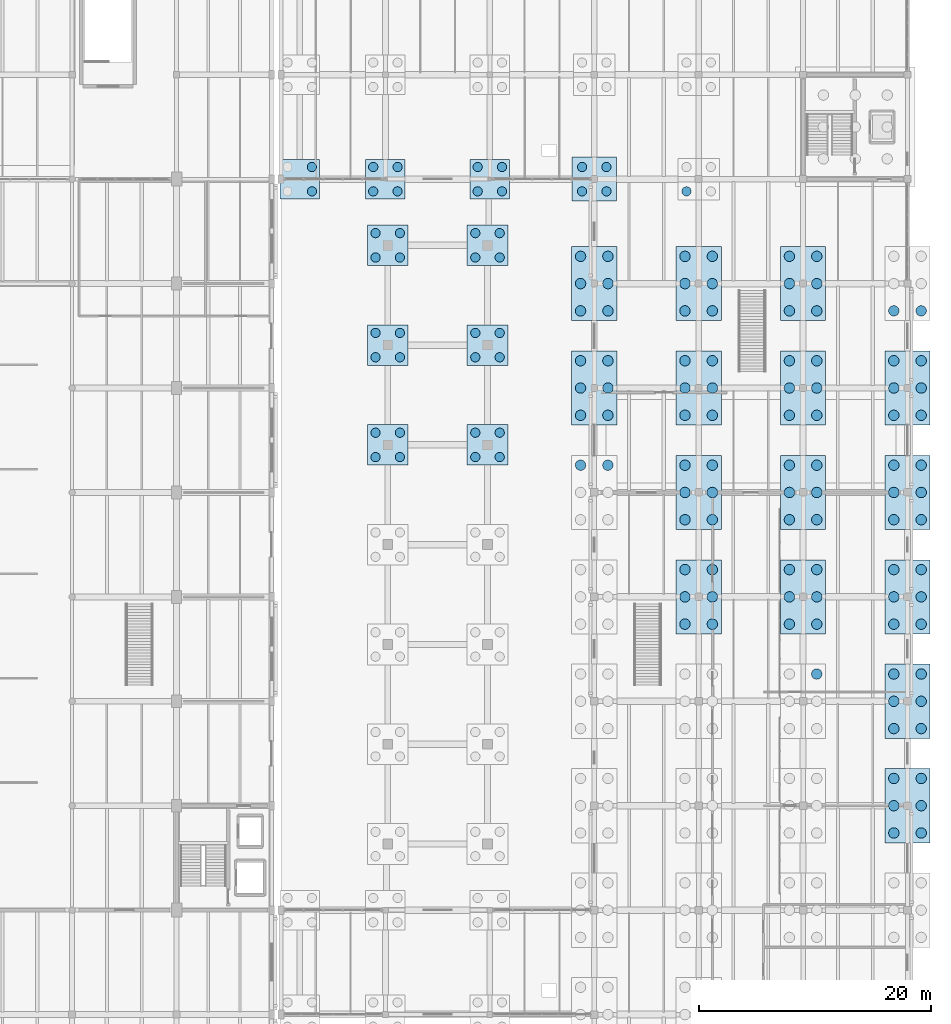
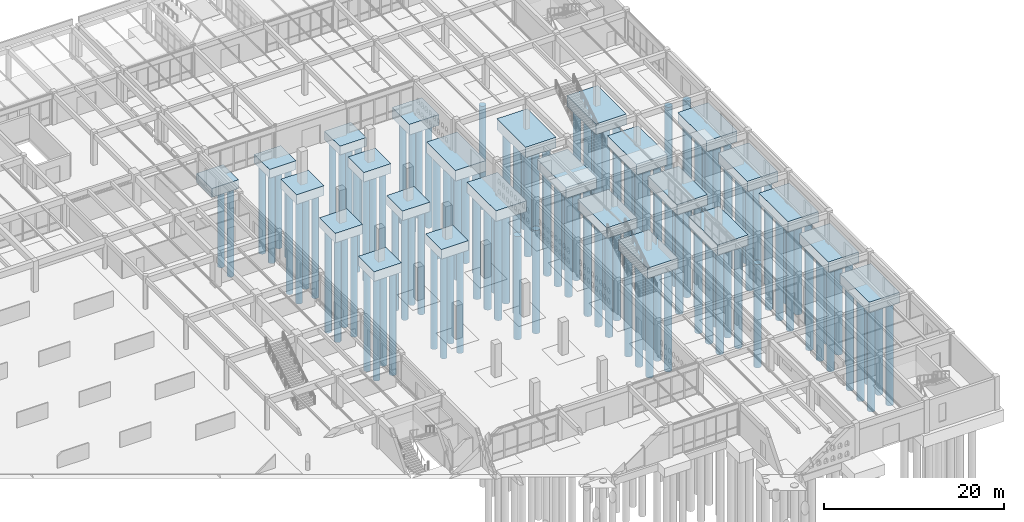
# One storey, part 5 of 186: 134 piles, 25 footings.
"""IFC4 building model written with IfcOpenShell, lengths in metres."""

from ifc_helpers import new_model, si_unit, direction, frame, origin, origin_2d, place, context, subcontext, project, spatial, polyline, circle, outline, extrude, material, layer, layer_set, material_profile, profile_set, type_object, element, save


model = new_model("IFC4")

# Units and contexts
model_context = context("Model", 3, precision=1e-05, world=origin(), true_north=direction((0.0, 1.0)))
body_context = subcontext(model_context, "Body", "Model", "MODEL_VIEW")
ifc_project = project(units=[si_unit("LENGTHUNIT", "METRE"), si_unit("AREAUNIT", "SQUARE_METRE"), si_unit("VOLUMEUNIT", "CUBIC_METRE"), si_unit("PLANEANGLEUNIT", "RADIAN"), si_unit("MASSUNIT", "GRAM", prefix="KILO")], contexts=[model_context])

# Site, building, storey
site_placement = place(None, origin())
site = spatial("IfcSite", under=ifc_project, at=site_placement, CompositionType="ELEMENT")
building_placement = place(site_placement, origin())
building = spatial("IfcBuilding", under=site, at=building_placement, Name="Ornek Quay Market", CompositionType="ELEMENT")
storey_placement = place(building_placement, origin())
storey = spatial("IfcBuildingStorey", under=building, at=storey_placement, Name="L00", CompositionType="ELEMENT", Elevation=0.0)

# Footings
ifc_material = material(Name="Concrete C35/45", Category="concrete")
ifc_layer_1 = layer(ifc_material, 1.199951171875, Name="Concrete C35/45", Category="concrete")
ifc_layer_set_1 = layer_set([ifc_layer_1], Name="Concrete C35/45")
footing_type_1 = type_object("IfcFootingType", Name="FT-PC4-2800x2800x1200", PredefinedType="PILE_CAP", material=ifc_layer_set_1)
footing_1_placement = place(storey_placement, frame((0.0, 0.0, -1.199951171875)))
element("IfcFooting", 1, at=footing_1_placement, inside=storey, type_object=footing_type_1, Name="Pile cap FC-176", PredefinedType="PILE_CAP", context=body_context, shape_type="SweptSolid", body=[
    extrude(outline(polyline([(125.919921875, 90.300048828125), (129.320068359375, 90.300048828125), (129.320068359375, 93.699951171875), (125.919921875, 93.699951171875), (125.919921875, 90.300048828125)])), origin(), (0.0, 0.0, 1.0), 1.199951171875),
])
footing_2_placement = place(storey_placement, frame((0.0, 0.0, -1.199951171875)))
element("IfcFooting", 2, at=footing_2_placement, inside=storey, type_object=footing_type_1, Name="Pile cap FC-182", PredefinedType="PILE_CAP", context=body_context, shape_type="SweptSolid", body=[
    extrude(outline(polyline([(133.300048828125, 90.300048828125), (136.699951171875, 90.300048828125), (136.699951171875, 93.699951171875), (133.300048828125, 93.699951171875), (133.300048828125, 90.300048828125)])), origin(), (0.0, 0.0, 1.0), 1.199951171875),
])
footing_3_placement = place(storey_placement, frame((0.0, 0.0, -1.199951171875)))
element("IfcFooting", 3, at=footing_3_placement, inside=storey, type_object=footing_type_1, Name="Pile cap FC-188", PredefinedType="PILE_CAP", context=body_context, shape_type="SweptSolid", body=[
    extrude(outline(polyline([(142.300048828125, 90.300048828125), (145.699951171875, 90.300048828125), (145.699951171875, 93.699951171875), (142.300048828125, 93.699951171875), (142.300048828125, 90.300048828125)])), origin(), (0.0, 0.0, 1.0), 1.199951171875),
])
ifc_layer_2 = layer(ifc_material, 1.300048828125, Name="Concrete C35/45", Category="concrete")
ifc_layer_set_2 = layer_set([ifc_layer_2], Name="Concrete C35/45")
footing_type_2 = type_object("IfcFootingType", Name="FT-PC4-3000x3000x1300", PredefinedType="PILE_CAP", material=ifc_layer_set_2)
footing_4_placement = place(storey_placement, frame((0.0, 0.0, -1.300048828125)))
element("IfcFooting", 4, at=footing_4_placement, inside=storey, type_object=footing_type_2, Name="Pile cap FC-254", PredefinedType="PILE_CAP", context=body_context, shape_type="SweptSolid", body=[
    extrude(outline(polyline([(133.449951171875, 67.35009765625), (136.949951171875, 67.35009765625), (136.949951171875, 70.85009765625), (133.449951171875, 70.85009765625), (133.449951171875, 67.35009765625)])), origin(), (0.0, 0.0, 1.0), 1.300048828125),
])
footing_5_placement = place(storey_placement, frame((0.0, 0.0, -1.300048828125)))
element("IfcFooting", 5, at=footing_5_placement, inside=storey, type_object=footing_type_2, Name="Pile cap FC-255", PredefinedType="PILE_CAP", context=body_context, shape_type="SweptSolid", body=[
    extrude(outline(polyline([(133.449951171875, 75.949951171875), (136.949951171875, 75.949951171875), (136.949951171875, 79.449951171875), (133.449951171875, 79.449951171875), (133.449951171875, 75.949951171875)])), origin(), (0.0, 0.0, 1.0), 1.300048828125),
])
footing_6_placement = place(storey_placement, frame((0.0, 0.0, -1.300048828125)))
element("IfcFooting", 6, at=footing_6_placement, inside=storey, type_object=footing_type_2, Name="Pile cap FC-256", PredefinedType="PILE_CAP", context=body_context, shape_type="SweptSolid", body=[
    extrude(outline(polyline([(133.449951171875, 84.550048828125), (136.949951171875, 84.550048828125), (136.949951171875, 88.050048828125), (133.449951171875, 88.050048828125), (133.449951171875, 84.550048828125)])), origin(), (0.0, 0.0, 1.0), 1.300048828125),
])
footing_7_placement = place(storey_placement, frame((0.0, 0.0, -1.300048828125)))
element("IfcFooting", 7, at=footing_7_placement, inside=storey, type_object=footing_type_2, Name="Pile cap FC-261", PredefinedType="PILE_CAP", context=body_context, shape_type="SweptSolid", body=[
    extrude(outline(polyline([(142.050048828125, 67.35009765625), (145.550048828125, 67.35009765625), (145.550048828125, 70.85009765625), (142.050048828125, 70.85009765625), (142.050048828125, 67.35009765625)])), origin(), (0.0, 0.0, 1.0), 1.300048828125),
])
footing_8_placement = place(storey_placement, frame((0.0, 0.0, -1.300048828125)))
element("IfcFooting", 8, at=footing_8_placement, inside=storey, type_object=footing_type_2, Name="Pile cap FC-262", PredefinedType="PILE_CAP", context=body_context, shape_type="SweptSolid", body=[
    extrude(outline(polyline([(142.050048828125, 75.949951171875), (145.550048828125, 75.949951171875), (145.550048828125, 79.449951171875), (142.050048828125, 79.449951171875), (142.050048828125, 75.949951171875)])), origin(), (0.0, 0.0, 1.0), 1.300048828125),
])
footing_9_placement = place(storey_placement, frame((0.0, 0.0, -1.300048828125)))
element("IfcFooting", 9, at=footing_9_placement, inside=storey, type_object=footing_type_2, Name="Pile cap FC-263", PredefinedType="PILE_CAP", context=body_context, shape_type="SweptSolid", body=[
    extrude(outline(polyline([(142.050048828125, 84.550048828125), (145.550048828125, 84.550048828125), (145.550048828125, 88.050048828125), (142.050048828125, 88.050048828125), (142.050048828125, 84.550048828125)])), origin(), (0.0, 0.0, 1.0), 1.300048828125),
])
ifc_layer_3 = layer(ifc_material, 1.449951171875, Name="Concrete C35/45", Category="concrete")
ifc_layer_set_3 = layer_set([ifc_layer_3], Name="Concrete C35/45")
footing_type_3 = type_object("IfcFootingType", Name="FT-PC6-3200x4600x1450", PredefinedType="PILE_CAP", material=ifc_layer_set_3)
footing_10_placement = place(storey_placement, frame((0.0, 0.0, -1.449951171875)))
element("IfcFooting", 10, at=footing_10_placement, inside=storey, type_object=footing_type_3, Name="Pile cap FC-199", PredefinedType="PILE_CAP", context=body_context, shape_type="SweptSolid", body=[
    extrude(outline(polyline([(151.050048828125, 70.800048828125), (154.949951171875, 70.800048828125), (154.949951171875, 77.199951171875), (151.050048828125, 77.199951171875), (151.050048828125, 70.800048828125)])), origin(), (0.0, 0.0, 1.0), 1.449951171875),
])
footing_11_placement = place(storey_placement, frame((0.0, 0.0, -1.449951171875)))
element("IfcFooting", 11, at=footing_11_placement, inside=storey, type_object=footing_type_3, Name="Pile cap FC-200", PredefinedType="PILE_CAP", context=body_context, shape_type="SweptSolid", body=[
    extrude(outline(polyline([(151.050048828125, 79.800048828125), (154.949951171875, 79.800048828125), (154.949951171875, 86.199951171875), (151.050048828125, 86.199951171875), (151.050048828125, 79.800048828125)])), origin(), (0.0, 0.0, 1.0), 1.449951171875),
])
footing_12_placement = place(storey_placement, frame((0.0, 0.0, -1.449951171875)))
element("IfcFooting", 12, at=footing_12_placement, inside=storey, type_object=footing_type_3, Name="Pile cap FC-210", PredefinedType="PILE_CAP", context=body_context, shape_type="SweptSolid", body=[
    extrude(outline(polyline([(160.050048828125, 52.800048828125), (163.949951171875, 52.800048828125), (163.949951171875, 59.199951171875), (160.050048828125, 59.199951171875), (160.050048828125, 52.800048828125)])), origin(), (0.0, 0.0, 1.0), 1.449951171875),
])
footing_13_placement = place(storey_placement, frame((0.0, 0.0, -1.449951171875)))
element("IfcFooting", 13, at=footing_13_placement, inside=storey, type_object=footing_type_3, Name="Pile cap FC-211", PredefinedType="PILE_CAP", context=body_context, shape_type="SweptSolid", body=[
    extrude(outline(polyline([(160.050048828125, 61.800048828125), (163.949951171875, 61.800048828125), (163.949951171875, 68.199951171875), (160.050048828125, 68.199951171875), (160.050048828125, 61.800048828125)])), origin(), (0.0, 0.0, 1.0), 1.449951171875),
])
footing_14_placement = place(storey_placement, frame((0.0, 0.0, -1.449951171875)))
element("IfcFooting", 14, at=footing_14_placement, inside=storey, type_object=footing_type_3, Name="Pile cap FC-212", PredefinedType="PILE_CAP", context=body_context, shape_type="SweptSolid", body=[
    extrude(outline(polyline([(160.050048828125, 70.800048828125), (163.949951171875, 70.800048828125), (163.949951171875, 77.199951171875), (160.050048828125, 77.199951171875), (160.050048828125, 70.800048828125)])), origin(), (0.0, 0.0, 1.0), 1.449951171875),
])
footing_15_placement = place(storey_placement, frame((0.0, 0.0, -1.449951171875)))
element("IfcFooting", 15, at=footing_15_placement, inside=storey, type_object=footing_type_3, Name="Pile cap FC-213", PredefinedType="PILE_CAP", context=body_context, shape_type="SweptSolid", body=[
    extrude(outline(polyline([(160.050048828125, 79.800048828125), (163.949951171875, 79.800048828125), (163.949951171875, 86.199951171875), (160.050048828125, 86.199951171875), (160.050048828125, 79.800048828125)])), origin(), (0.0, 0.0, 1.0), 1.449951171875),
])
footing_16_placement = place(storey_placement, frame((0.0, 0.0, -1.449951171875)))
element("IfcFooting", 16, at=footing_16_placement, inside=storey, type_object=footing_type_3, Name="Pile cap FC-221", PredefinedType="PILE_CAP", context=body_context, shape_type="SweptSolid", body=[
    extrude(outline(polyline([(169.050048828125, 52.800048828125), (172.949951171875, 52.800048828125), (172.949951171875, 59.199951171875), (169.050048828125, 59.199951171875), (169.050048828125, 52.800048828125)])), origin(), (0.0, 0.0, 1.0), 1.449951171875),
])
footing_17_placement = place(storey_placement, frame((0.0, 0.0, -1.449951171875)))
element("IfcFooting", 17, at=footing_17_placement, inside=storey, type_object=footing_type_3, Name="Pile cap FC-222", PredefinedType="PILE_CAP", context=body_context, shape_type="SweptSolid", body=[
    extrude(outline(polyline([(169.050048828125, 61.800048828125), (172.949951171875, 61.800048828125), (172.949951171875, 68.199951171875), (169.050048828125, 68.199951171875), (169.050048828125, 61.800048828125)])), origin(), (0.0, 0.0, 1.0), 1.449951171875),
])
footing_18_placement = place(storey_placement, frame((0.0, 0.0, -1.449951171875)))
element("IfcFooting", 18, at=footing_18_placement, inside=storey, type_object=footing_type_3, Name="Pile cap FC-223", PredefinedType="PILE_CAP", context=body_context, shape_type="SweptSolid", body=[
    extrude(outline(polyline([(169.050048828125, 70.800048828125), (172.949951171875, 70.800048828125), (172.949951171875, 77.199951171875), (169.050048828125, 77.199951171875), (169.050048828125, 70.800048828125)])), origin(), (0.0, 0.0, 1.0), 1.449951171875),
])
footing_19_placement = place(storey_placement, frame((0.0, 0.0, -1.449951171875)))
element("IfcFooting", 19, at=footing_19_placement, inside=storey, type_object=footing_type_3, Name="Pile cap FC-224", PredefinedType="PILE_CAP", context=body_context, shape_type="SweptSolid", body=[
    extrude(outline(polyline([(169.050048828125, 79.800048828125), (172.949951171875, 79.800048828125), (172.949951171875, 86.199951171875), (169.050048828125, 86.199951171875), (169.050048828125, 79.800048828125)])), origin(), (0.0, 0.0, 1.0), 1.449951171875),
])
footing_20_placement = place(storey_placement, frame((0.0, 0.0, -1.449951171875)))
element("IfcFooting", 20, at=footing_20_placement, inside=storey, type_object=footing_type_3, Name="Pile cap FC-228", PredefinedType="PILE_CAP", context=body_context, shape_type="SweptSolid", body=[
    extrude(outline(polyline([(178.050048828125, 34.800048828125), (181.949951171875, 34.800048828125), (181.949951171875, 41.199951171875), (178.050048828125, 41.199951171875), (178.050048828125, 34.800048828125)])), origin(), (0.0, 0.0, 1.0), 1.449951171875),
])
footing_21_placement = place(storey_placement, frame((0.0, 0.0, -1.449951171875)))
element("IfcFooting", 21, at=footing_21_placement, inside=storey, type_object=footing_type_3, Name="Pile cap FC-229", PredefinedType="PILE_CAP", context=body_context, shape_type="SweptSolid", body=[
    extrude(outline(polyline([(178.050048828125, 43.800048828125), (181.949951171875, 43.800048828125), (181.949951171875, 50.199951171875), (178.050048828125, 50.199951171875), (178.050048828125, 43.800048828125)])), origin(), (0.0, 0.0, 1.0), 1.449951171875),
])
footing_22_placement = place(storey_placement, frame((0.0, 0.0, -1.449951171875)))
element("IfcFooting", 22, at=footing_22_placement, inside=storey, type_object=footing_type_3, Name="Pile cap FC-230", PredefinedType="PILE_CAP", context=body_context, shape_type="SweptSolid", body=[
    extrude(outline(polyline([(178.050048828125, 52.800048828125), (181.949951171875, 52.800048828125), (181.949951171875, 59.199951171875), (178.050048828125, 59.199951171875), (178.050048828125, 52.800048828125)])), origin(), (0.0, 0.0, 1.0), 1.449951171875),
])
footing_23_placement = place(storey_placement, frame((0.0, 0.0, -1.449951171875)))
element("IfcFooting", 23, at=footing_23_placement, inside=storey, type_object=footing_type_3, Name="Pile cap FC-231", PredefinedType="PILE_CAP", context=body_context, shape_type="SweptSolid", body=[
    extrude(outline(polyline([(178.050048828125, 61.800048828125), (181.949951171875, 61.800048828125), (181.949951171875, 68.199951171875), (178.050048828125, 68.199951171875), (178.050048828125, 61.800048828125)])), origin(), (0.0, 0.0, 1.0), 1.449951171875),
])
footing_24_placement = place(storey_placement, frame((0.0, 0.0, -1.449951171875)))
element("IfcFooting", 24, at=footing_24_placement, inside=storey, type_object=footing_type_3, Name="Pile cap FC-232", PredefinedType="PILE_CAP", context=body_context, shape_type="SweptSolid", body=[
    extrude(outline(polyline([(178.050048828125, 70.800048828125), (181.949951171875, 70.800048828125), (181.949951171875, 77.199951171875), (178.050048828125, 77.199951171875), (178.050048828125, 70.800048828125)])), origin(), (0.0, 0.0, 1.0), 1.449951171875),
])
ifc_layer_4 = layer(ifc_material, 1.449951171875, Name="Concrete C35/45", Category="concrete")
ifc_layer_set_4 = layer_set([ifc_layer_4], Name="Concrete C35/45")
footing_type_4 = type_object("IfcFootingType", Name="FT-PC6-4600x3200x1450", PredefinedType="PILE_CAP", material=ifc_layer_set_4)
footing_25_placement = place(storey_placement, frame((0.0, 0.0, -1.449951171875)))
element("IfcFooting", 25, at=footing_25_placement, inside=storey, type_object=footing_type_4, Name="Pile cap FC-201", PredefinedType="PILE_CAP", context=body_context, shape_type="SweptSolid", body=[
    extrude(outline(polyline([(151.10009765625, 90.10009765625), (154.89990234375, 90.10009765625), (154.89990234375, 93.89990234375), (151.10009765625, 93.89990234375), (151.10009765625, 90.10009765625)])), origin(), (0.0, 0.0, 1.0), 1.449951171875),
])

# Piles
ifc_material_profile_1 = material_profile(ifc_material, circle(Radius=0.39990234375, at=origin_2d()), Name="PILE D800", Category="concrete")
ifc_profile_set_1 = profile_set([ifc_material_profile_1], Name="Concrete C35/45")
pile_type_1 = type_object("IfcPileType", Name="PL-BOR-D800-L12", PredefinedType="BORED", material=ifc_profile_set_1)
for number, where, z_axis, x_axis, name in (
    (26, (128.669921875, 90.949951171875, -1.10009765625), (0.0, 0.0, -1.0), (1.0, 0.0, 0.0), "Bored pile P-0772"),
    (27, (128.669921875, 93.050048828125, -1.10009765625), (0.0, 0.0, -1.0), (1.0, 0.0, 0.0), "Bored pile P-0774"),
    (28, (133.949951171875, 90.949951171875, -1.10009765625), (0.0, 0.0, -1.0), (1.0, 0.0, 0.0), "Bored pile P-0795"),
    (29, (136.050048828125, 90.949951171875, -1.10009765625), (0.0, 0.0, -1.0), (1.0, 0.0, 0.0), "Bored pile P-0796"),
    (30, (133.949951171875, 93.050048828125, -1.10009765625), (0.0, 0.0, -1.0), (1.0, 0.0, 0.0), "Bored pile P-0797"),
    (31, (136.050048828125, 93.050048828125, -1.10009765625), (0.0, 0.0, -1.0), (1.0, 0.0, 0.0), "Bored pile P-0798"),
    (32, (142.949951171875, 90.949951171875, -1.10009765625), (0.0, 0.0, -1.0), (1.0, 0.0, 0.0), "Bored pile P-0819"),
    (33, (145.050048828125, 90.949951171875, -1.10009765625), (0.0, 0.0, -1.0), (1.0, 0.0, 0.0), "Bored pile P-0820"),
    (34, (142.949951171875, 93.050048828125, -1.10009765625), (0.0, 0.0, -1.0), (1.0, 0.0, 0.0), "Bored pile P-0821"),
    (35, (145.050048828125, 93.050048828125, -1.10009765625), (0.0, 0.0, -1.0), (1.0, 0.0, 0.0), "Bored pile P-0822"),
):
    element("IfcPile", number, at=place(storey_placement, frame(where, z_axis=z_axis, x_axis=x_axis)), inside=storey, type_object=pile_type_1, Name=name, PredefinedType="BORED", context=body_context, shape_type="SweptSolid", body=[
        extrude(circle(Radius=0.39990234375, at=origin_2d()), origin(), (0.0, 0.0, 1.0), 12.0),
    ])
ifc_material_profile_2 = material_profile(ifc_material, circle(Radius=0.39990234375, at=origin_2d()), Name="PILE D800", Category="concrete")
ifc_profile_set_2 = profile_set([ifc_material_profile_2], Name="Concrete C35/45")
pile_type_2 = type_object("IfcPileType", Name="PL-BOR-D800-L14", PredefinedType="BORED", material=ifc_profile_set_2)
for number, where, z_axis, x_axis, name in (
    (36, (151.949951171875, 90.949951171875, -1.35009765625), (0.0, 0.0, -1.0), (1.0, 0.0, 0.0), "Bored pile P-0889"),
    (37, (154.050048828125, 90.949951171875, -1.35009765625), (0.0, 0.0, -1.0), (1.0, 0.0, 0.0), "Bored pile P-0890"),
    (38, (151.949951171875, 93.050048828125, -1.35009765625), (0.0, 0.0, -1.0), (1.0, 0.0, 0.0), "Bored pile P-0891"),
    (39, (154.050048828125, 93.050048828125, -1.35009765625), (0.0, 0.0, -1.0), (1.0, 0.0, 0.0), "Bored pile P-0892"),
    (40, (160.949951171875, 90.949951171875, -1.25), (0.0, 0.0, -1.0), (1.0, 0.0, 0.0), "Bored pile P-0959"),
    (41, (134.14990234375, 68.050048828125, -1.199951171875), (0.0, 0.0, -1.0), (1.0, 0.0, 0.0), "Bored pile P-1147"),
    (42, (136.25, 68.050048828125, -1.199951171875), (0.0, 0.0, -1.0), (1.0, 0.0, 0.0), "Bored pile P-1148"),
    (43, (134.14990234375, 70.14990234375, -1.199951171875), (0.0, 0.0, -1.0), (1.0, 0.0, 0.0), "Bored pile P-1149"),
    (44, (136.25, 70.14990234375, -1.199951171875), (0.0, 0.0, -1.0), (1.0, 0.0, 0.0), "Bored pile P-1150"),
    (45, (134.14990234375, 76.64990234375, -1.199951171875), (0.0, 0.0, -1.0), (1.0, 0.0, 0.0), "Bored pile P-1151"),
    (46, (136.25, 76.64990234375, -1.199951171875), (0.0, 0.0, -1.0), (1.0, 0.0, 0.0), "Bored pile P-1152"),
    (47, (134.14990234375, 78.75, -1.199951171875), (0.0, 0.0, -1.0), (1.0, 0.0, 0.0), "Bored pile P-1153"),
    (48, (136.25, 78.75, -1.199951171875), (0.0, 0.0, -1.0), (1.0, 0.0, 0.0), "Bored pile P-1154"),
    (49, (134.14990234375, 85.25, -1.199951171875), (0.0, 0.0, -1.0), (1.0, 0.0, 0.0), "Bored pile P-1155"),
    (50, (136.25, 85.25, -1.199951171875), (0.0, 0.0, -1.0), (1.0, 0.0, 0.0), "Bored pile P-1156"),
    (51, (134.14990234375, 87.35009765625, -1.199951171875), (0.0, 0.0, -1.0), (1.0, 0.0, 0.0), "Bored pile P-1157"),
    (52, (136.25, 87.35009765625, -1.199951171875), (0.0, 0.0, -1.0), (1.0, 0.0, 0.0), "Bored pile P-1158"),
    (53, (142.75, 68.050048828125, -1.199951171875), (0.0, 0.0, -1.0), (1.0, 0.0, 0.0), "Bored pile P-1175"),
    (54, (144.85009765625, 68.050048828125, -1.199951171875), (0.0, 0.0, -1.0), (1.0, 0.0, 0.0), "Bored pile P-1176"),
    (55, (142.75, 70.14990234375, -1.199951171875), (0.0, 0.0, -1.0), (1.0, 0.0, 0.0), "Bored pile P-1177"),
    (56, (144.85009765625, 70.14990234375, -1.199951171875), (0.0, 0.0, -1.0), (1.0, 0.0, 0.0), "Bored pile P-1178"),
    (57, (142.75, 76.64990234375, -1.199951171875), (0.0, 0.0, -1.0), (1.0, 0.0, 0.0), "Bored pile P-1179"),
    (58, (144.85009765625, 76.64990234375, -1.199951171875), (0.0, 0.0, -1.0), (1.0, 0.0, 0.0), "Bored pile P-1180"),
    (59, (142.75, 78.75, -1.199951171875), (0.0, 0.0, -1.0), (1.0, 0.0, 0.0), "Bored pile P-1181"),
    (60, (144.85009765625, 78.75, -1.199951171875), (0.0, 0.0, -1.0), (1.0, 0.0, 0.0), "Bored pile P-1182"),
    (61, (142.75, 85.25, -1.199951171875), (0.0, 0.0, -1.0), (1.0, 0.0, 0.0), "Bored pile P-1183"),
    (62, (144.85009765625, 85.25, -1.199951171875), (0.0, 0.0, -1.0), (1.0, 0.0, 0.0), "Bored pile P-1184"),
    (63, (142.75, 87.35009765625, -1.199951171875), (0.0, 0.0, -1.0), (1.0, 0.0, 0.0), "Bored pile P-1185"),
    (64, (144.85009765625, 87.35009765625, -1.199951171875), (0.0, 0.0, -1.0), (1.0, 0.0, 0.0), "Bored pile P-1186"),
):
    element("IfcPile", number, at=place(storey_placement, frame(where, z_axis=z_axis, x_axis=x_axis)), inside=storey, type_object=pile_type_2, Name=name, PredefinedType="BORED", context=body_context, shape_type="SweptSolid", body=[
        extrude(circle(Radius=0.39990234375, at=origin_2d()), origin(), (0.0, 0.0, 1.0), 14.0),
    ])
ifc_material_profile_3 = material_profile(ifc_material, circle(Radius=0.449951171875, at=origin_2d()), Name="PILE D900", Category="concrete")
ifc_profile_set_3 = profile_set([ifc_material_profile_3], Name="Concrete C35/45")
pile_type_3 = type_object("IfcPileType", Name="PL-BOR-D900-L14", PredefinedType="BORED", material=ifc_profile_set_3)
for number, where, z_axis, x_axis, name in (
    (65, (151.820068359375, 67.35009765625, -1.35009765625), (0.0, 0.0, -1.0), (1.0, 0.0, 0.0), "Bored pile P-0875"),
    (66, (154.179931640625, 67.35009765625, -1.35009765625), (0.0, 0.0, -1.0), (1.0, 0.0, 0.0), "Bored pile P-0876"),
    (67, (151.820068359375, 71.64990234375, -1.35009765625), (0.0, 0.0, -1.0), (1.0, 0.0, 0.0), "Bored pile P-0877"),
    (68, (154.179931640625, 71.64990234375, -1.35009765625), (0.0, 0.0, -1.0), (1.0, 0.0, 0.0), "Bored pile P-0878"),
    (69, (151.820068359375, 74.0, -1.35009765625), (0.0, 0.0, -1.0), (1.0, 0.0, 0.0), "Bored pile P-0879"),
    (70, (154.179931640625, 74.0, -1.35009765625), (0.0, 0.0, -1.0), (1.0, 0.0, 0.0), "Bored pile P-0880"),
    (71, (151.820068359375, 76.35009765625, -1.35009765625), (0.0, 0.0, -1.0), (1.0, 0.0, 0.0), "Bored pile P-0881"),
    (72, (154.179931640625, 76.35009765625, -1.35009765625), (0.0, 0.0, -1.0), (1.0, 0.0, 0.0), "Bored pile P-0882"),
    (73, (151.820068359375, 80.64990234375, -1.35009765625), (0.0, 0.0, -1.0), (1.0, 0.0, 0.0), "Bored pile P-0883"),
    (74, (154.179931640625, 80.64990234375, -1.35009765625), (0.0, 0.0, -1.0), (1.0, 0.0, 0.0), "Bored pile P-0884"),
    (75, (151.820068359375, 83.0, -1.35009765625), (0.0, 0.0, -1.0), (1.0, 0.0, 0.0), "Bored pile P-0885"),
    (76, (154.179931640625, 83.0, -1.35009765625), (0.0, 0.0, -1.0), (1.0, 0.0, 0.0), "Bored pile P-0886"),
    (77, (151.820068359375, 85.35009765625, -1.35009765625), (0.0, 0.0, -1.0), (1.0, 0.0, 0.0), "Bored pile P-0887"),
    (78, (154.179931640625, 85.35009765625, -1.35009765625), (0.0, 0.0, -1.0), (1.0, 0.0, 0.0), "Bored pile P-0888"),
    (79, (160.820068359375, 53.64990234375, -1.35009765625), (0.0, 0.0, -1.0), (1.0, 0.0, 0.0), "Bored pile P-0935"),
    (80, (163.179931640625, 53.64990234375, -1.35009765625), (0.0, 0.0, -1.0), (1.0, 0.0, 0.0), "Bored pile P-0936"),
    (81, (160.820068359375, 56.0, -1.35009765625), (0.0, 0.0, -1.0), (1.0, 0.0, 0.0), "Bored pile P-0937"),
    (82, (163.179931640625, 56.0, -1.35009765625), (0.0, 0.0, -1.0), (1.0, 0.0, 0.0), "Bored pile P-0938"),
    (83, (160.820068359375, 58.35009765625, -1.35009765625), (0.0, 0.0, -1.0), (1.0, 0.0, 0.0), "Bored pile P-0939"),
    (84, (163.179931640625, 58.35009765625, -1.35009765625), (0.0, 0.0, -1.0), (1.0, 0.0, 0.0), "Bored pile P-0940"),
    (85, (160.820068359375, 62.64990234375, -1.35009765625), (0.0, 0.0, -1.0), (1.0, 0.0, 0.0), "Bored pile P-0941"),
    (86, (163.179931640625, 62.64990234375, -1.35009765625), (0.0, 0.0, -1.0), (1.0, 0.0, 0.0), "Bored pile P-0942"),
    (87, (160.820068359375, 65.0, -1.35009765625), (0.0, 0.0, -1.0), (1.0, 0.0, 0.0), "Bored pile P-0943"),
    (88, (163.179931640625, 65.0, -1.35009765625), (0.0, 0.0, -1.0), (1.0, 0.0, 0.0), "Bored pile P-0944"),
    (89, (160.820068359375, 67.35009765625, -1.35009765625), (0.0, 0.0, -1.0), (1.0, 0.0, 0.0), "Bored pile P-0945"),
    (90, (163.179931640625, 67.35009765625, -1.35009765625), (0.0, 0.0, -1.0), (1.0, 0.0, 0.0), "Bored pile P-0946"),
    (91, (160.820068359375, 71.64990234375, -1.35009765625), (0.0, 0.0, -1.0), (1.0, 0.0, 0.0), "Bored pile P-0947"),
    (92, (163.179931640625, 71.64990234375, -1.35009765625), (0.0, 0.0, -1.0), (1.0, 0.0, 0.0), "Bored pile P-0948"),
    (93, (160.820068359375, 74.0, -1.35009765625), (0.0, 0.0, -1.0), (1.0, 0.0, 0.0), "Bored pile P-0949"),
    (94, (163.179931640625, 74.0, -1.35009765625), (0.0, 0.0, -1.0), (1.0, 0.0, 0.0), "Bored pile P-0950"),
    (95, (160.820068359375, 76.35009765625, -1.35009765625), (0.0, 0.0, -1.0), (1.0, 0.0, 0.0), "Bored pile P-0951"),
    (96, (163.179931640625, 76.35009765625, -1.35009765625), (0.0, 0.0, -1.0), (1.0, 0.0, 0.0), "Bored pile P-0952"),
    (97, (160.820068359375, 80.64990234375, -1.35009765625), (0.0, 0.0, -1.0), (1.0, 0.0, 0.0), "Bored pile P-0953"),
    (98, (163.179931640625, 80.64990234375, -1.35009765625), (0.0, 0.0, -1.0), (1.0, 0.0, 0.0), "Bored pile P-0954"),
    (99, (160.820068359375, 83.0, -1.35009765625), (0.0, 0.0, -1.0), (1.0, 0.0, 0.0), "Bored pile P-0955"),
    (100, (163.179931640625, 83.0, -1.35009765625), (0.0, 0.0, -1.0), (1.0, 0.0, 0.0), "Bored pile P-0956"),
    (101, (160.820068359375, 85.35009765625, -1.35009765625), (0.0, 0.0, -1.0), (1.0, 0.0, 0.0), "Bored pile P-0957"),
    (102, (163.179931640625, 85.35009765625, -1.35009765625), (0.0, 0.0, -1.0), (1.0, 0.0, 0.0), "Bored pile P-0958"),
    (103, (172.179931640625, 49.35009765625, -1.35009765625), (0.0, 0.0, -1.0), (1.0, 0.0, 0.0), "Bored pile P-0992"),
    (104, (169.820068359375, 53.64990234375, -1.35009765625), (0.0, 0.0, -1.0), (1.0, 0.0, 0.0), "Bored pile P-0993"),
    (105, (172.179931640625, 53.64990234375, -1.35009765625), (0.0, 0.0, -1.0), (1.0, 0.0, 0.0), "Bored pile P-0994"),
    (106, (169.820068359375, 56.0, -1.35009765625), (0.0, 0.0, -1.0), (1.0, 0.0, 0.0), "Bored pile P-0995"),
    (107, (172.179931640625, 56.0, -1.35009765625), (0.0, 0.0, -1.0), (1.0, 0.0, 0.0), "Bored pile P-0996"),
    (108, (169.820068359375, 58.35009765625, -1.35009765625), (0.0, 0.0, -1.0), (1.0, 0.0, 0.0), "Bored pile P-0997"),
    (109, (172.179931640625, 58.35009765625, -1.35009765625), (0.0, 0.0, -1.0), (1.0, 0.0, 0.0), "Bored pile P-0998"),
    (110, (169.820068359375, 62.64990234375, -1.35009765625), (0.0, 0.0, -1.0), (1.0, 0.0, 0.0), "Bored pile P-0999"),
    (111, (172.179931640625, 62.64990234375, -1.35009765625), (0.0, 0.0, -1.0), (1.0, 0.0, 0.0), "Bored pile P-1000"),
    (112, (169.820068359375, 65.0, -1.35009765625), (0.0, 0.0, -1.0), (1.0, 0.0, 0.0), "Bored pile P-1001"),
    (113, (172.179931640625, 65.0, -1.35009765625), (0.0, 0.0, -1.0), (1.0, 0.0, 0.0), "Bored pile P-1002"),
    (114, (169.820068359375, 67.35009765625, -1.35009765625), (0.0, 0.0, -1.0), (1.0, 0.0, 0.0), "Bored pile P-1003"),
    (115, (172.179931640625, 67.35009765625, -1.35009765625), (0.0, 0.0, -1.0), (1.0, 0.0, 0.0), "Bored pile P-1004"),
    (116, (169.820068359375, 71.64990234375, -1.35009765625), (0.0, 0.0, -1.0), (1.0, 0.0, 0.0), "Bored pile P-1005"),
    (117, (172.179931640625, 71.64990234375, -1.35009765625), (0.0, 0.0, -1.0), (1.0, 0.0, 0.0), "Bored pile P-1006"),
    (118, (169.820068359375, 74.0, -1.35009765625), (0.0, 0.0, -1.0), (1.0, 0.0, 0.0), "Bored pile P-1007"),
    (119, (172.179931640625, 74.0, -1.35009765625), (0.0, 0.0, -1.0), (1.0, 0.0, 0.0), "Bored pile P-1008"),
    (120, (169.820068359375, 76.35009765625, -1.35009765625), (0.0, 0.0, -1.0), (1.0, 0.0, 0.0), "Bored pile P-1009"),
    (121, (172.179931640625, 76.35009765625, -1.35009765625), (0.0, 0.0, -1.0), (1.0, 0.0, 0.0), "Bored pile P-1010"),
    (122, (169.820068359375, 80.64990234375, -1.35009765625), (0.0, 0.0, -1.0), (1.0, 0.0, 0.0), "Bored pile P-1011"),
    (123, (172.179931640625, 80.64990234375, -1.35009765625), (0.0, 0.0, -1.0), (1.0, 0.0, 0.0), "Bored pile P-1012"),
    (124, (169.820068359375, 83.0, -1.35009765625), (0.0, 0.0, -1.0), (1.0, 0.0, 0.0), "Bored pile P-1013"),
    (125, (172.179931640625, 83.0, -1.35009765625), (0.0, 0.0, -1.0), (1.0, 0.0, 0.0), "Bored pile P-1014"),
    (126, (169.820068359375, 85.35009765625, -1.35009765625), (0.0, 0.0, -1.0), (1.0, 0.0, 0.0), "Bored pile P-1015"),
    (127, (172.179931640625, 85.35009765625, -1.35009765625), (0.0, 0.0, -1.0), (1.0, 0.0, 0.0), "Bored pile P-1016"),
    (128, (178.820068359375, 35.64990234375, -1.35009765625), (0.0, 0.0, -1.0), (1.0, 0.0, 0.0), "Bored pile P-1031"),
    (129, (181.179931640625, 35.64990234375, -1.35009765625), (0.0, 0.0, -1.0), (1.0, 0.0, 0.0), "Bored pile P-1032"),
    (130, (178.820068359375, 38.0, -1.35009765625), (0.0, 0.0, -1.0), (1.0, 0.0, 0.0), "Bored pile P-1033"),
    (131, (181.179931640625, 38.0, -1.35009765625), (0.0, 0.0, -1.0), (1.0, 0.0, 0.0), "Bored pile P-1034"),
    (132, (178.820068359375, 40.35009765625, -1.35009765625), (0.0, 0.0, -1.0), (1.0, 0.0, 0.0), "Bored pile P-1035"),
    (133, (181.179931640625, 40.35009765625, -1.35009765625), (0.0, 0.0, -1.0), (1.0, 0.0, 0.0), "Bored pile P-1036"),
    (134, (178.820068359375, 44.64990234375, -1.35009765625), (0.0, 0.0, -1.0), (1.0, 0.0, 0.0), "Bored pile P-1037"),
    (135, (181.179931640625, 44.64990234375, -1.35009765625), (0.0, 0.0, -1.0), (1.0, 0.0, 0.0), "Bored pile P-1038"),
    (136, (178.820068359375, 47.0, -1.35009765625), (0.0, 0.0, -1.0), (1.0, 0.0, 0.0), "Bored pile P-1039"),
    (137, (181.179931640625, 47.0, -1.35009765625), (0.0, 0.0, -1.0), (1.0, 0.0, 0.0), "Bored pile P-1040"),
    (138, (178.820068359375, 49.35009765625, -1.35009765625), (0.0, 0.0, -1.0), (1.0, 0.0, 0.0), "Bored pile P-1041"),
    (139, (181.179931640625, 49.35009765625, -1.35009765625), (0.0, 0.0, -1.0), (1.0, 0.0, 0.0), "Bored pile P-1042"),
    (140, (178.820068359375, 53.64990234375, -1.35009765625), (0.0, 0.0, -1.0), (1.0, 0.0, 0.0), "Bored pile P-1043"),
    (141, (181.179931640625, 53.64990234375, -1.35009765625), (0.0, 0.0, -1.0), (1.0, 0.0, 0.0), "Bored pile P-1044"),
    (142, (178.820068359375, 56.0, -1.35009765625), (0.0, 0.0, -1.0), (1.0, 0.0, 0.0), "Bored pile P-1045"),
    (143, (181.179931640625, 56.0, -1.35009765625), (0.0, 0.0, -1.0), (1.0, 0.0, 0.0), "Bored pile P-1046"),
    (144, (178.820068359375, 58.35009765625, -1.35009765625), (0.0, 0.0, -1.0), (1.0, 0.0, 0.0), "Bored pile P-1047"),
    (145, (181.179931640625, 58.35009765625, -1.35009765625), (0.0, 0.0, -1.0), (1.0, 0.0, 0.0), "Bored pile P-1048"),
    (146, (178.820068359375, 62.64990234375, -1.35009765625), (0.0, 0.0, -1.0), (1.0, 0.0, 0.0), "Bored pile P-1049"),
    (147, (181.179931640625, 62.64990234375, -1.35009765625), (0.0, 0.0, -1.0), (1.0, 0.0, 0.0), "Bored pile P-1050"),
    (148, (178.820068359375, 65.0, -1.35009765625), (0.0, 0.0, -1.0), (1.0, 0.0, 0.0), "Bored pile P-1051"),
    (149, (181.179931640625, 65.0, -1.35009765625), (0.0, 0.0, -1.0), (1.0, 0.0, 0.0), "Bored pile P-1052"),
    (150, (178.820068359375, 67.35009765625, -1.35009765625), (0.0, 0.0, -1.0), (1.0, 0.0, 0.0), "Bored pile P-1053"),
    (151, (181.179931640625, 67.35009765625, -1.35009765625), (0.0, 0.0, -1.0), (1.0, 0.0, 0.0), "Bored pile P-1054"),
    (152, (178.820068359375, 71.64990234375, -1.35009765625), (0.0, 0.0, -1.0), (1.0, 0.0, 0.0), "Bored pile P-1055"),
    (153, (181.179931640625, 71.64990234375, -1.35009765625), (0.0, 0.0, -1.0), (1.0, 0.0, 0.0), "Bored pile P-1056"),
    (154, (178.820068359375, 74.0, -1.35009765625), (0.0, 0.0, -1.0), (1.0, 0.0, 0.0), "Bored pile P-1057"),
    (155, (181.179931640625, 74.0, -1.35009765625), (0.0, 0.0, -1.0), (1.0, 0.0, 0.0), "Bored pile P-1058"),
    (156, (178.820068359375, 76.35009765625, -1.35009765625), (0.0, 0.0, -1.0), (1.0, 0.0, 0.0), "Bored pile P-1059"),
    (157, (181.179931640625, 76.35009765625, -1.35009765625), (0.0, 0.0, -1.0), (1.0, 0.0, 0.0), "Bored pile P-1060"),
    (158, (178.820068359375, 80.64990234375, -1.35009765625), (0.0, 0.0, -1.0), (1.0, 0.0, 0.0), "Bored pile P-1061"),
    (159, (181.179931640625, 80.64990234375, -1.35009765625), (0.0, 0.0, -1.0), (1.0, 0.0, 0.0), "Bored pile P-1062"),
):
    element("IfcPile", number, at=place(storey_placement, frame(where, z_axis=z_axis, x_axis=x_axis)), inside=storey, type_object=pile_type_3, Name=name, PredefinedType="BORED", context=body_context, shape_type="SweptSolid", body=[
        extrude(circle(Radius=0.449951171875, at=origin_2d()), origin(), (0.0, 0.0, 1.0), 14.0),
    ])

save(model, "model.ifc")
